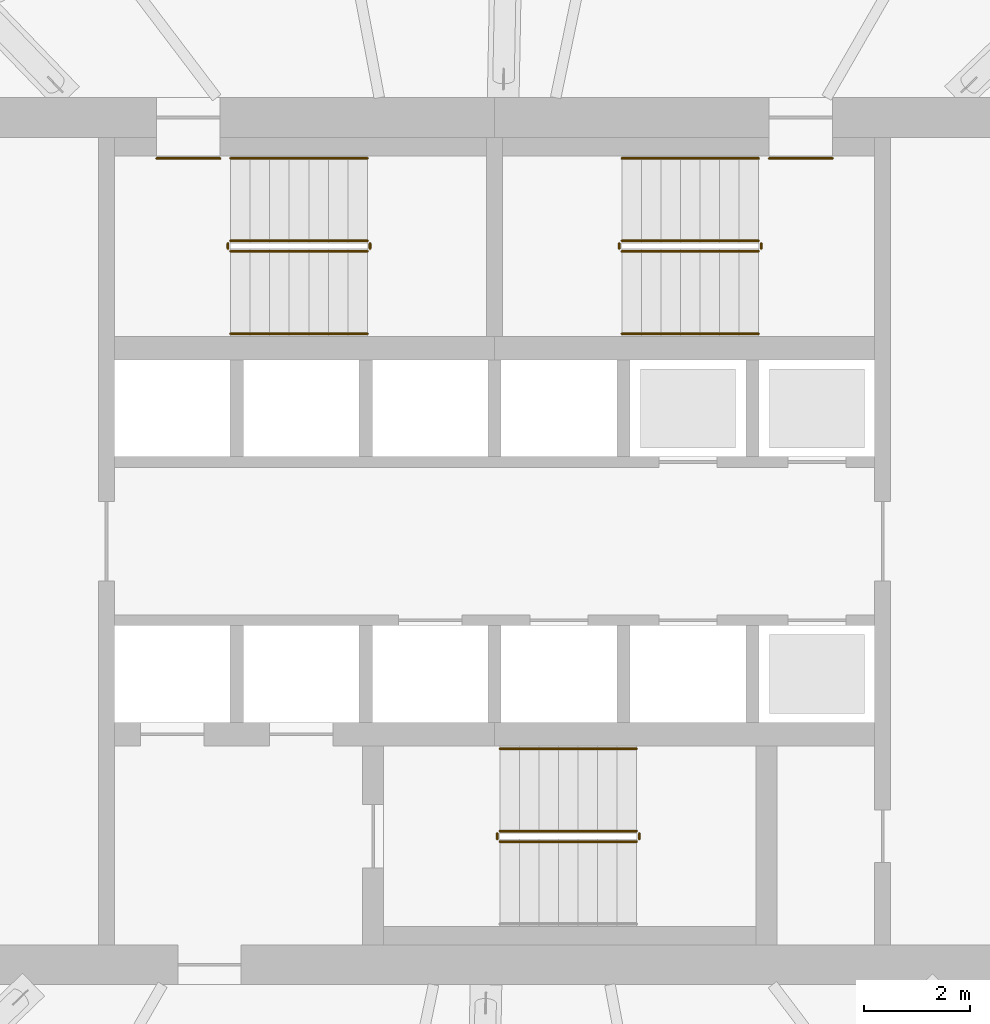
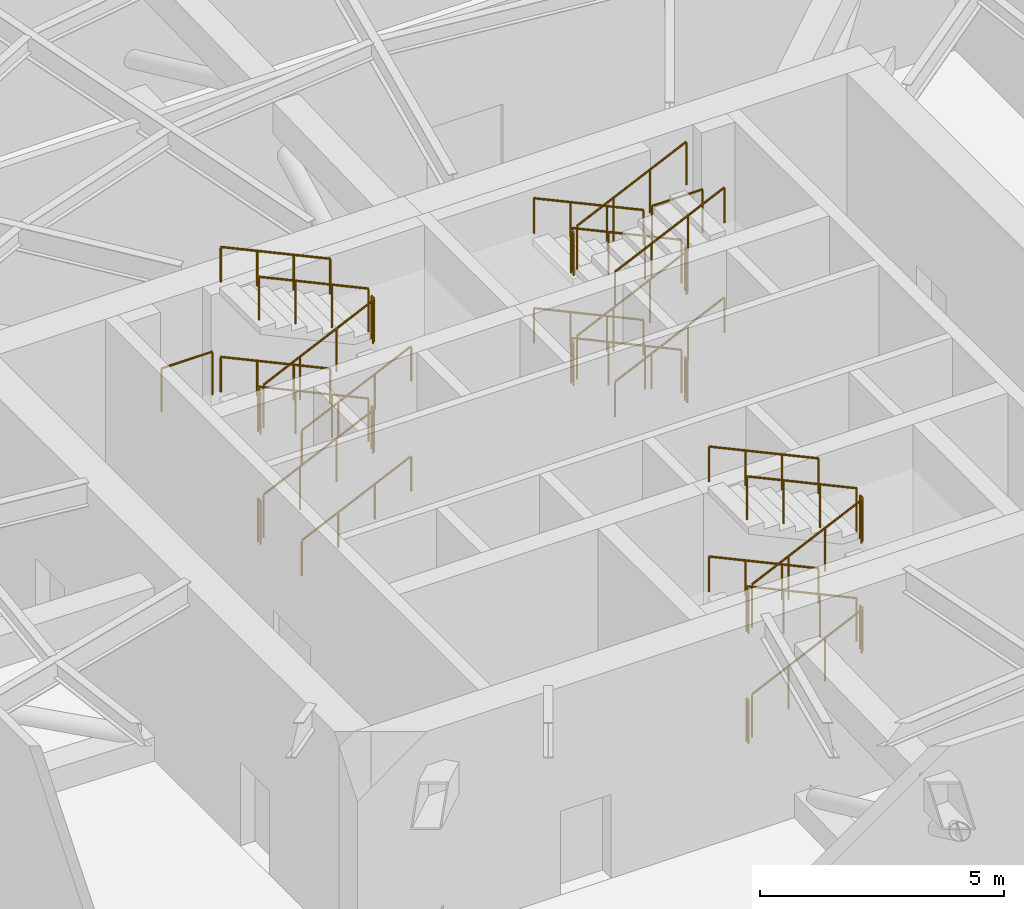
# One storey, part 17 of 19: 36 railings.
"""IFC4 building model written with IfcOpenShell, lengths in metres."""

from ifc_helpers import new_model, si_unit, direction, frame, origin, origin_2d, place, context, subcontext, project, spatial, circle, extrude, material, type_object, element, save


model = new_model("IFC4")

# Units and contexts
model_context = context("Model", 3, precision=1e-05, world=origin(), true_north=direction((0.0, 1.0)))
body_context = subcontext(model_context, "Body", "Model", "MODEL_VIEW")
ifc_project = project(units=[si_unit("LENGTHUNIT", "METRE"), si_unit("AREAUNIT", "SQUARE_METRE"), si_unit("VOLUMEUNIT", "CUBIC_METRE"), si_unit("PLANEANGLEUNIT", "RADIAN"), si_unit("MASSUNIT", "GRAM", prefix="KILO")], contexts=[model_context])

# Site, building, storey
site_placement = place(None, origin())
site = spatial("IfcSite", under=ifc_project, at=site_placement, CompositionType="ELEMENT")
building_placement = place(site_placement, origin())
building = spatial("IfcBuilding", under=site, at=building_placement, Name="Vermilion Reach Broadcast Tower", CompositionType="ELEMENT")
storey_placement = place(building_placement, frame((0.0, 0.0, 190.199951171875)))
storey = spatial("IfcBuildingStorey", under=building, at=storey_placement, Name="L46", CompositionType="ELEMENT", Elevation=190.199951171875)

# Railings
ifc_material_1 = material(Name="Stainless steel", Category="steel")
railing_type_1 = type_object("IfcRailingType", Name="Stair guard 1100", PredefinedType="GUARDRAIL", material=ifc_material_1)
railing_1_placement = place(storey_placement, frame((-11.0, 5.489990234375, 0.171875)))
element("IfcRailing", 1, at=railing_1_placement, inside=storey, type_object=railing_type_1, Name="L46 ST1 stair guard 1", PredefinedType="GUARDRAIL", context=body_context, shape_type="SweptSolid", body=[
    extrude(circle(Radius=0.02392578125, at=origin_2d()), frame((0.0, 0.0, 1.076171875), z_axis=(0.906930820852, 0.0, 0.421279581974), x_axis=(0.0, 1.0, 0.0)), (0.0, 0.0, 1.0), 2.85595703125),
    extrude(circle(Radius=0.02099609375, at=origin_2d()), origin(), (0.0, 0.0, 1.0), 1.052001953125),
    extrude(circle(Radius=0.02099609375, at=origin_2d()), frame((0.86328125, 0.0, 0.401123046875)), (0.0, 0.0, 1.0), 1.052001953125),
    extrude(circle(Radius=0.02099609375, at=origin_2d()), frame((1.726806640625, 0.0, 0.802001953125)), (0.0, 0.0, 1.0), 1.052001953125),
    extrude(circle(Radius=0.02099609375, at=origin_2d()), frame((2.590087890625, 0.0, 1.203125)), (0.0, 0.0, 1.0), 1.052001953125),
])
railing_2_placement = place(storey_placement, frame((-8.360107421875, 5.5400390625, 1.375)))
element("IfcRailing", 2, at=railing_2_placement, inside=storey, type_object=railing_type_1, Name="L46 ST1 stair guard 2", PredefinedType="GUARDRAIL", context=body_context, shape_type="SweptSolid", body=[
    extrude(circle(Radius=0.02392578125, at=origin_2d()), frame((0.0, 0.0, 1.076171875), z_axis=(0.0, 1.0, 0.0), x_axis=(-1.0, 0.0, 0.0)), (0.0, 0.0, 1.0), 0.099853515625),
    extrude(circle(Radius=0.02099609375, at=origin_2d()), origin(), (0.0, 0.0, 1.0), 1.052001953125),
    extrude(circle(Radius=0.02099609375, at=origin_2d()), frame((0.0, 0.099853515625, 0.0)), (0.0, 0.0, 1.0), 1.052001953125),
])
railing_3_placement = place(storey_placement, frame((-8.409912109375, 5.68994140625, 1.546875)))
element("IfcRailing", 3, at=railing_3_placement, inside=storey, type_object=railing_type_1, Name="L46 ST1 stair guard 3", PredefinedType="GUARDRAIL", context=body_context, shape_type="SweptSolid", body=[
    extrude(circle(Radius=0.02392578125, at=origin_2d()), frame((0.0, 0.0, 1.076171875), z_axis=(-0.906930820852, 0.0, 0.421279581974), x_axis=(0.0, -1.0, 0.0)), (0.0, 0.0, 1.0), 2.85595703125),
    extrude(circle(Radius=0.02099609375, at=origin_2d()), origin(), (0.0, 0.0, 1.0), 1.052001953125),
    extrude(circle(Radius=0.02099609375, at=origin_2d()), frame((-0.86328125, 0.0, 0.401123046875)), (0.0, 0.0, 1.0), 1.052001953125),
    extrude(circle(Radius=0.02099609375, at=origin_2d()), frame((-1.726806640625, 0.0, 0.802001953125)), (0.0, 0.0, 1.0), 1.052001953125),
    extrude(circle(Radius=0.02099609375, at=origin_2d()), frame((-2.590087890625, 0.0, 1.203125)), (0.0, 0.0, 1.0), 1.052001953125),
])
railing_4_placement = place(storey_placement, frame((-11.050048828125, 5.5400390625, 2.75)))
element("IfcRailing", 4, at=railing_4_placement, inside=storey, type_object=railing_type_1, Name="L46 ST1 stair guard 4", PredefinedType="GUARDRAIL", context=body_context, shape_type="SweptSolid", body=[
    extrude(circle(Radius=0.02392578125, at=origin_2d()), frame((0.0, 0.0, 1.076171875), z_axis=(0.0, 1.0, 0.0), x_axis=(-1.0, 0.0, 0.0)), (0.0, 0.0, 1.0), 0.099853515625),
    extrude(circle(Radius=0.02099609375, at=origin_2d()), origin(), (0.0, 0.0, 1.0), 1.052001953125),
    extrude(circle(Radius=0.02099609375, at=origin_2d()), frame((0.0, 0.099853515625, 0.0)), (0.0, 0.0, 1.0), 1.052001953125),
])
railing_5_placement = place(storey_placement, frame((-11.0, 5.489990234375, 2.921875)))
element("IfcRailing", 5, at=railing_5_placement, inside=storey, type_object=railing_type_1, Name="L46 ST1 stair guard 5", PredefinedType="GUARDRAIL", context=body_context, shape_type="SweptSolid", body=[
    extrude(circle(Radius=0.02392578125, at=origin_2d()), frame((0.0, 0.0, 1.076171875), z_axis=(0.906930820852, 0.0, 0.421279581974), x_axis=(0.0, 1.0, 0.0)), (0.0, 0.0, 1.0), 2.85595703125),
    extrude(circle(Radius=0.02099609375, at=origin_2d()), origin(), (0.0, 0.0, 1.0), 1.052001953125),
    extrude(circle(Radius=0.02099609375, at=origin_2d()), frame((0.86328125, 0.0, 0.401123046875)), (0.0, 0.0, 1.0), 1.052001953125),
    extrude(circle(Radius=0.02099609375, at=origin_2d()), frame((1.726806640625, 0.0, 0.802001953125)), (0.0, 0.0, 1.0), 1.052001953125),
    extrude(circle(Radius=0.02099609375, at=origin_2d()), frame((2.590087890625, 0.0, 1.203125)), (0.0, 0.0, 1.0), 1.052001953125),
])
railing_6_placement = place(storey_placement, frame((-8.360107421875, 5.5400390625, 4.125)))
element("IfcRailing", 6, at=railing_6_placement, inside=storey, type_object=railing_type_1, Name="L46 ST1 stair guard 6", PredefinedType="GUARDRAIL", context=body_context, shape_type="SweptSolid", body=[
    extrude(circle(Radius=0.02392578125, at=origin_2d()), frame((0.0, 0.0, 1.076171875), z_axis=(0.0, 1.0, 0.0), x_axis=(-1.0, 0.0, 0.0)), (0.0, 0.0, 1.0), 0.099853515625),
    extrude(circle(Radius=0.02099609375, at=origin_2d()), origin(), (0.0, 0.0, 1.0), 1.052001953125),
    extrude(circle(Radius=0.02099609375, at=origin_2d()), frame((0.0, 0.099853515625, 0.0)), (0.0, 0.0, 1.0), 1.052001953125),
])
railing_7_placement = place(storey_placement, frame((-8.409912109375, 5.68994140625, 4.296875)))
element("IfcRailing", 7, at=railing_7_placement, inside=storey, type_object=railing_type_1, Name="L46 ST1 stair guard 7", PredefinedType="GUARDRAIL", context=body_context, shape_type="SweptSolid", body=[
    extrude(circle(Radius=0.02392578125, at=origin_2d()), frame((0.0, 0.0, 1.076171875), z_axis=(-0.906930820852, 0.0, 0.421279581974), x_axis=(0.0, -1.0, 0.0)), (0.0, 0.0, 1.0), 2.85595703125),
    extrude(circle(Radius=0.02099609375, at=origin_2d()), origin(), (0.0, 0.0, 1.0), 1.052001953125),
    extrude(circle(Radius=0.02099609375, at=origin_2d()), frame((-0.86328125, 0.0, 0.401123046875)), (0.0, 0.0, 1.0), 1.052001953125),
    extrude(circle(Radius=0.02099609375, at=origin_2d()), frame((-1.726806640625, 0.0, 0.802001953125)), (0.0, 0.0, 1.0), 1.052001953125),
    extrude(circle(Radius=0.02099609375, at=origin_2d()), frame((-2.590087890625, 0.0, 1.203125)), (0.0, 0.0, 1.0), 1.052001953125),
])
railing_8_placement = place(storey_placement, frame((-11.050048828125, 5.5400390625, 0.0)))
element("IfcRailing", 8, at=railing_8_placement, inside=storey, type_object=railing_type_1, Name="L46 ST1 stair guard 8", PredefinedType="GUARDRAIL", context=body_context, shape_type="SweptSolid", body=[
    extrude(circle(Radius=0.02392578125, at=origin_2d()), frame((0.0, 0.0, 1.076171875), z_axis=(0.0, 1.0, 0.0), x_axis=(-1.0, 0.0, 0.0)), (0.0, 0.0, 1.0), 0.099853515625),
    extrude(circle(Radius=0.02099609375, at=origin_2d()), origin(), (0.0, 0.0, 1.0), 1.052001953125),
    extrude(circle(Radius=0.02099609375, at=origin_2d()), frame((0.0, 0.099853515625, 0.0)), (0.0, 0.0, 1.0), 1.052001953125),
])
railing_9_placement = place(storey_placement, frame((-12.39990234375, 7.25, 2.75)))
element("IfcRailing", 9, at=railing_9_placement, inside=storey, type_object=railing_type_1, Name="L46 ST1 doorway guard", PredefinedType="GUARDRAIL", context=body_context, shape_type="SweptSolid", body=[
    extrude(circle(Radius=0.02392578125, at=origin_2d()), frame((0.0, 0.0, 1.076171875), z_axis=(1.0, 0.0, 0.0), x_axis=(0.0, 1.0, 0.0)), (0.0, 0.0, 1.0), 1.199951171875),
    extrude(circle(Radius=0.02099609375, at=origin_2d()), origin(), (0.0, 0.0, 1.0), 1.052001953125),
    extrude(circle(Radius=0.02099609375, at=origin_2d()), frame((1.199951171875, 0.0, 0.0)), (0.0, 0.0, 1.0), 1.052001953125),
])
railing_10_placement = place(storey_placement, frame((-1.0, 5.68994140625, 0.171875)))
element("IfcRailing", 10, at=railing_10_placement, inside=storey, type_object=railing_type_1, Name="L46 ST2 stair guard 1", PredefinedType="GUARDRAIL", context=body_context, shape_type="SweptSolid", body=[
    extrude(circle(Radius=0.02392578125, at=origin_2d()), frame((0.0, 0.0, 1.076171875), z_axis=(-0.906930820852, 0.0, 0.421279581974), x_axis=(0.0, -1.0, 0.0)), (0.0, 0.0, 1.0), 2.85595703125),
    extrude(circle(Radius=0.02099609375, at=origin_2d()), origin(), (0.0, 0.0, 1.0), 1.052001953125),
    extrude(circle(Radius=0.02099609375, at=origin_2d()), frame((-0.86328125, 0.0, 0.401123046875)), (0.0, 0.0, 1.0), 1.052001953125),
    extrude(circle(Radius=0.02099609375, at=origin_2d()), frame((-1.726806640625, 0.0, 0.802001953125)), (0.0, 0.0, 1.0), 1.052001953125),
    extrude(circle(Radius=0.02099609375, at=origin_2d()), frame((-2.590087890625, 0.0, 1.203125)), (0.0, 0.0, 1.0), 1.052001953125),
])
railing_11_placement = place(storey_placement, frame((-3.639892578125, 5.639892578125, 1.375)))
element("IfcRailing", 11, at=railing_11_placement, inside=storey, type_object=railing_type_1, Name="L46 ST2 stair guard 2", PredefinedType="GUARDRAIL", context=body_context, shape_type="SweptSolid", body=[
    extrude(circle(Radius=0.02392578125, at=origin_2d()), frame((0.0, 0.0, 1.076171875), z_axis=(0.0, -1.0, 0.0), x_axis=(1.0, 0.0, 0.0)), (0.0, 0.0, 1.0), 0.099853515625),
    extrude(circle(Radius=0.02099609375, at=origin_2d()), origin(), (0.0, 0.0, 1.0), 1.052001953125),
    extrude(circle(Radius=0.02099609375, at=origin_2d()), frame((0.0, -0.099853515625, 0.0)), (0.0, 0.0, 1.0), 1.052001953125),
])
railing_12_placement = place(storey_placement, frame((-3.590087890625, 5.489990234375, 1.546875)))
element("IfcRailing", 12, at=railing_12_placement, inside=storey, type_object=railing_type_1, Name="L46 ST2 stair guard 3", PredefinedType="GUARDRAIL", context=body_context, shape_type="SweptSolid", body=[
    extrude(circle(Radius=0.02392578125, at=origin_2d()), frame((0.0, 0.0, 1.076171875), z_axis=(0.906930820852, 0.0, 0.421279581974), x_axis=(0.0, 1.0, 0.0)), (0.0, 0.0, 1.0), 2.85595703125),
    extrude(circle(Radius=0.02099609375, at=origin_2d()), origin(), (0.0, 0.0, 1.0), 1.052001953125),
    extrude(circle(Radius=0.02099609375, at=origin_2d()), frame((0.86328125, 0.0, 0.401123046875)), (0.0, 0.0, 1.0), 1.052001953125),
    extrude(circle(Radius=0.02099609375, at=origin_2d()), frame((1.726806640625, 0.0, 0.802001953125)), (0.0, 0.0, 1.0), 1.052001953125),
    extrude(circle(Radius=0.02099609375, at=origin_2d()), frame((2.590087890625, 0.0, 1.203125)), (0.0, 0.0, 1.0), 1.052001953125),
])
railing_13_placement = place(storey_placement, frame((-0.949951171875, 5.639892578125, 2.75)))
element("IfcRailing", 13, at=railing_13_placement, inside=storey, type_object=railing_type_1, Name="L46 ST2 stair guard 4", PredefinedType="GUARDRAIL", context=body_context, shape_type="SweptSolid", body=[
    extrude(circle(Radius=0.02392578125, at=origin_2d()), frame((0.0, 0.0, 1.076171875), z_axis=(0.0, -1.0, 0.0), x_axis=(1.0, 0.0, 0.0)), (0.0, 0.0, 1.0), 0.099853515625),
    extrude(circle(Radius=0.02099609375, at=origin_2d()), origin(), (0.0, 0.0, 1.0), 1.052001953125),
    extrude(circle(Radius=0.02099609375, at=origin_2d()), frame((0.0, -0.099853515625, 0.0)), (0.0, 0.0, 1.0), 1.052001953125),
])
railing_14_placement = place(storey_placement, frame((-1.0, 5.68994140625, 2.921875)))
element("IfcRailing", 14, at=railing_14_placement, inside=storey, type_object=railing_type_1, Name="L46 ST2 stair guard 5", PredefinedType="GUARDRAIL", context=body_context, shape_type="SweptSolid", body=[
    extrude(circle(Radius=0.02392578125, at=origin_2d()), frame((0.0, 0.0, 1.076171875), z_axis=(-0.906930820852, 0.0, 0.421279581974), x_axis=(0.0, -1.0, 0.0)), (0.0, 0.0, 1.0), 2.85595703125),
    extrude(circle(Radius=0.02099609375, at=origin_2d()), origin(), (0.0, 0.0, 1.0), 1.052001953125),
    extrude(circle(Radius=0.02099609375, at=origin_2d()), frame((-0.86328125, 0.0, 0.401123046875)), (0.0, 0.0, 1.0), 1.052001953125),
    extrude(circle(Radius=0.02099609375, at=origin_2d()), frame((-1.726806640625, 0.0, 0.802001953125)), (0.0, 0.0, 1.0), 1.052001953125),
    extrude(circle(Radius=0.02099609375, at=origin_2d()), frame((-2.590087890625, 0.0, 1.203125)), (0.0, 0.0, 1.0), 1.052001953125),
])
railing_15_placement = place(storey_placement, frame((-3.639892578125, 5.639892578125, 4.125)))
element("IfcRailing", 15, at=railing_15_placement, inside=storey, type_object=railing_type_1, Name="L46 ST2 stair guard 6", PredefinedType="GUARDRAIL", context=body_context, shape_type="SweptSolid", body=[
    extrude(circle(Radius=0.02392578125, at=origin_2d()), frame((0.0, 0.0, 1.076171875), z_axis=(0.0, -1.0, 0.0), x_axis=(1.0, 0.0, 0.0)), (0.0, 0.0, 1.0), 0.099853515625),
    extrude(circle(Radius=0.02099609375, at=origin_2d()), origin(), (0.0, 0.0, 1.0), 1.052001953125),
    extrude(circle(Radius=0.02099609375, at=origin_2d()), frame((0.0, -0.099853515625, 0.0)), (0.0, 0.0, 1.0), 1.052001953125),
])
railing_16_placement = place(storey_placement, frame((-3.590087890625, 5.489990234375, 4.296875)))
element("IfcRailing", 16, at=railing_16_placement, inside=storey, type_object=railing_type_1, Name="L46 ST2 stair guard 7", PredefinedType="GUARDRAIL", context=body_context, shape_type="SweptSolid", body=[
    extrude(circle(Radius=0.02392578125, at=origin_2d()), frame((0.0, 0.0, 1.076171875), z_axis=(0.906930820852, 0.0, 0.421279581974), x_axis=(0.0, 1.0, 0.0)), (0.0, 0.0, 1.0), 2.85595703125),
    extrude(circle(Radius=0.02099609375, at=origin_2d()), origin(), (0.0, 0.0, 1.0), 1.052001953125),
    extrude(circle(Radius=0.02099609375, at=origin_2d()), frame((0.86328125, 0.0, 0.401123046875)), (0.0, 0.0, 1.0), 1.052001953125),
    extrude(circle(Radius=0.02099609375, at=origin_2d()), frame((1.726806640625, 0.0, 0.802001953125)), (0.0, 0.0, 1.0), 1.052001953125),
    extrude(circle(Radius=0.02099609375, at=origin_2d()), frame((2.590087890625, 0.0, 1.203125)), (0.0, 0.0, 1.0), 1.052001953125),
])
railing_17_placement = place(storey_placement, frame((-0.949951171875, 5.639892578125, 0.0)))
element("IfcRailing", 17, at=railing_17_placement, inside=storey, type_object=railing_type_1, Name="L46 ST2 stair guard 8", PredefinedType="GUARDRAIL", context=body_context, shape_type="SweptSolid", body=[
    extrude(circle(Radius=0.02392578125, at=origin_2d()), frame((0.0, 0.0, 1.076171875), z_axis=(0.0, -1.0, 0.0), x_axis=(1.0, 0.0, 0.0)), (0.0, 0.0, 1.0), 0.099853515625),
    extrude(circle(Radius=0.02099609375, at=origin_2d()), origin(), (0.0, 0.0, 1.0), 1.052001953125),
    extrude(circle(Radius=0.02099609375, at=origin_2d()), frame((0.0, -0.099853515625, 0.0)), (0.0, 0.0, 1.0), 1.052001953125),
])
railing_18_placement = place(storey_placement, frame((-0.800048828125, 7.25, 2.75)))
element("IfcRailing", 18, at=railing_18_placement, inside=storey, type_object=railing_type_1, Name="L46 ST2 doorway guard", PredefinedType="GUARDRAIL", context=body_context, shape_type="SweptSolid", body=[
    extrude(circle(Radius=0.02392578125, at=origin_2d()), frame((0.0, 0.0, 1.076171875), z_axis=(1.0, 0.0, 0.0), x_axis=(0.0, 1.0, 0.0)), (0.0, 0.0, 1.0), 1.199951171875),
    extrude(circle(Radius=0.02099609375, at=origin_2d()), origin(), (0.0, 0.0, 1.0), 1.052001953125),
    extrude(circle(Radius=0.02099609375, at=origin_2d()), frame((1.199951171875, 0.0, 0.0)), (0.0, 0.0, 1.0), 1.052001953125),
])
railing_19_placement = place(storey_placement, frame((-5.89990234375, -5.68994140625, 0.171875)))
element("IfcRailing", 19, at=railing_19_placement, inside=storey, type_object=railing_type_1, Name="L46 ST3 stair guard 1", PredefinedType="GUARDRAIL", context=body_context, shape_type="SweptSolid", body=[
    extrude(circle(Radius=0.02392578125, at=origin_2d()), frame((0.0, 0.0, 1.076171875), z_axis=(0.906915647168, 0.0, 0.421312246347), x_axis=(0.0, 1.0, 0.0)), (0.0, 0.0, 1.0), 2.855712890625),
    extrude(circle(Radius=0.02099609375, at=origin_2d()), origin(), (0.0, 0.0, 1.0), 1.052001953125),
    extrude(circle(Radius=0.02099609375, at=origin_2d()), frame((0.86328125, 0.0, 0.401123046875)), (0.0, 0.0, 1.0), 1.052001953125),
    extrude(circle(Radius=0.02099609375, at=origin_2d()), frame((1.7265625, 0.0, 0.802001953125)), (0.0, 0.0, 1.0), 1.052001953125),
    extrude(circle(Radius=0.02099609375, at=origin_2d()), frame((2.58984375, 0.0, 1.203125)), (0.0, 0.0, 1.0), 1.052001953125),
])
railing_20_placement = place(storey_placement, frame((-3.260009765625, -5.639892578125, 1.375)))
element("IfcRailing", 20, at=railing_20_placement, inside=storey, type_object=railing_type_1, Name="L46 ST3 stair guard 2", PredefinedType="GUARDRAIL", context=body_context, shape_type="SweptSolid", body=[
    extrude(circle(Radius=0.02392578125, at=origin_2d()), frame((0.0, 0.0, 1.076171875), z_axis=(0.0, 1.0, 0.0), x_axis=(-1.0, 0.0, 0.0)), (0.0, 0.0, 1.0), 0.099853515625),
    extrude(circle(Radius=0.02099609375, at=origin_2d()), origin(), (0.0, 0.0, 1.0), 1.052001953125),
    extrude(circle(Radius=0.02099609375, at=origin_2d()), frame((0.0, 0.099853515625, 0.0)), (0.0, 0.0, 1.0), 1.052001953125),
])
railing_21_placement = place(storey_placement, frame((-3.31005859375, -5.489990234375, 1.546875)))
element("IfcRailing", 21, at=railing_21_placement, inside=storey, type_object=railing_type_1, Name="L46 ST3 stair guard 3", PredefinedType="GUARDRAIL", context=body_context, shape_type="SweptSolid", body=[
    extrude(circle(Radius=0.02392578125, at=origin_2d()), frame((0.0, 0.0, 1.076171875), z_axis=(-0.906915647168, 0.0, 0.421312246347), x_axis=(0.0, -1.0, 0.0)), (0.0, 0.0, 1.0), 2.855712890625),
    extrude(circle(Radius=0.02099609375, at=origin_2d()), origin(), (0.0, 0.0, 1.0), 1.052001953125),
    extrude(circle(Radius=0.02099609375, at=origin_2d()), frame((-0.86328125, 0.0, 0.401123046875)), (0.0, 0.0, 1.0), 1.052001953125),
    extrude(circle(Radius=0.02099609375, at=origin_2d()), frame((-1.7265625, 0.0, 0.802001953125)), (0.0, 0.0, 1.0), 1.052001953125),
    extrude(circle(Radius=0.02099609375, at=origin_2d()), frame((-2.58984375, 0.0, 1.203125)), (0.0, 0.0, 1.0), 1.052001953125),
])
railing_22_placement = place(storey_placement, frame((-5.949951171875, -5.639892578125, 2.75)))
element("IfcRailing", 22, at=railing_22_placement, inside=storey, type_object=railing_type_1, Name="L46 ST3 stair guard 4", PredefinedType="GUARDRAIL", context=body_context, shape_type="SweptSolid", body=[
    extrude(circle(Radius=0.02392578125, at=origin_2d()), frame((0.0, 0.0, 1.076171875), z_axis=(0.0, 1.0, 0.0), x_axis=(-1.0, 0.0, 0.0)), (0.0, 0.0, 1.0), 0.099853515625),
    extrude(circle(Radius=0.02099609375, at=origin_2d()), origin(), (0.0, 0.0, 1.0), 1.052001953125),
    extrude(circle(Radius=0.02099609375, at=origin_2d()), frame((0.0, 0.099853515625, 0.0)), (0.0, 0.0, 1.0), 1.052001953125),
])
railing_23_placement = place(storey_placement, frame((-5.89990234375, -5.68994140625, 2.921875)))
element("IfcRailing", 23, at=railing_23_placement, inside=storey, type_object=railing_type_1, Name="L46 ST3 stair guard 5", PredefinedType="GUARDRAIL", context=body_context, shape_type="SweptSolid", body=[
    extrude(circle(Radius=0.02392578125, at=origin_2d()), frame((0.0, 0.0, 1.076171875), z_axis=(0.906915647168, 0.0, 0.421312246347), x_axis=(0.0, 1.0, 0.0)), (0.0, 0.0, 1.0), 2.855712890625),
    extrude(circle(Radius=0.02099609375, at=origin_2d()), origin(), (0.0, 0.0, 1.0), 1.052001953125),
    extrude(circle(Radius=0.02099609375, at=origin_2d()), frame((0.86328125, 0.0, 0.401123046875)), (0.0, 0.0, 1.0), 1.052001953125),
    extrude(circle(Radius=0.02099609375, at=origin_2d()), frame((1.7265625, 0.0, 0.802001953125)), (0.0, 0.0, 1.0), 1.052001953125),
    extrude(circle(Radius=0.02099609375, at=origin_2d()), frame((2.58984375, 0.0, 1.203125)), (0.0, 0.0, 1.0), 1.052001953125),
])
railing_24_placement = place(storey_placement, frame((-3.260009765625, -5.639892578125, 4.125)))
element("IfcRailing", 24, at=railing_24_placement, inside=storey, type_object=railing_type_1, Name="L46 ST3 stair guard 6", PredefinedType="GUARDRAIL", context=body_context, shape_type="SweptSolid", body=[
    extrude(circle(Radius=0.02392578125, at=origin_2d()), frame((0.0, 0.0, 1.076171875), z_axis=(0.0, 1.0, 0.0), x_axis=(-1.0, 0.0, 0.0)), (0.0, 0.0, 1.0), 0.099853515625),
    extrude(circle(Radius=0.02099609375, at=origin_2d()), origin(), (0.0, 0.0, 1.0), 1.052001953125),
    extrude(circle(Radius=0.02099609375, at=origin_2d()), frame((0.0, 0.099853515625, 0.0)), (0.0, 0.0, 1.0), 1.052001953125),
])
railing_25_placement = place(storey_placement, frame((-3.31005859375, -5.489990234375, 4.296875)))
element("IfcRailing", 25, at=railing_25_placement, inside=storey, type_object=railing_type_1, Name="L46 ST3 stair guard 7", PredefinedType="GUARDRAIL", context=body_context, shape_type="SweptSolid", body=[
    extrude(circle(Radius=0.02392578125, at=origin_2d()), frame((0.0, 0.0, 1.076171875), z_axis=(-0.906915647168, 0.0, 0.421312246347), x_axis=(0.0, -1.0, 0.0)), (0.0, 0.0, 1.0), 2.855712890625),
    extrude(circle(Radius=0.02099609375, at=origin_2d()), origin(), (0.0, 0.0, 1.0), 1.052001953125),
    extrude(circle(Radius=0.02099609375, at=origin_2d()), frame((-0.86328125, 0.0, 0.401123046875)), (0.0, 0.0, 1.0), 1.052001953125),
    extrude(circle(Radius=0.02099609375, at=origin_2d()), frame((-1.7265625, 0.0, 0.802001953125)), (0.0, 0.0, 1.0), 1.052001953125),
    extrude(circle(Radius=0.02099609375, at=origin_2d()), frame((-2.58984375, 0.0, 1.203125)), (0.0, 0.0, 1.0), 1.052001953125),
])
railing_26_placement = place(storey_placement, frame((-5.949951171875, -5.639892578125, 0.0)))
element("IfcRailing", 26, at=railing_26_placement, inside=storey, type_object=railing_type_1, Name="L46 ST3 stair guard 8", PredefinedType="GUARDRAIL", context=body_context, shape_type="SweptSolid", body=[
    extrude(circle(Radius=0.02392578125, at=origin_2d()), frame((0.0, 0.0, 1.076171875), z_axis=(0.0, 1.0, 0.0), x_axis=(-1.0, 0.0, 0.0)), (0.0, 0.0, 1.0), 0.099853515625),
    extrude(circle(Radius=0.02099609375, at=origin_2d()), origin(), (0.0, 0.0, 1.0), 1.052001953125),
    extrude(circle(Radius=0.02099609375, at=origin_2d()), frame((0.0, 0.099853515625, 0.0)), (0.0, 0.0, 1.0), 1.052001953125),
])
ifc_material_2 = material(Name="Stainless steel", Category="steel")
railing_type_2 = type_object("IfcRailingType", Name="Stair handrail", PredefinedType="HANDRAIL", material=ifc_material_2)
railing_27_placement = place(storey_placement, frame((-11.0, 3.929931640625, 0.171875)))
element("IfcRailing", 27, at=railing_27_placement, inside=storey, type_object=railing_type_2, Name="L46 ST1 stair handrail 1", PredefinedType="HANDRAIL", context=body_context, shape_type="SweptSolid", body=[
    extrude(circle(Radius=0.02392578125, at=origin_2d()), frame((0.0, 0.0, 0.8759765625), z_axis=(0.906930820852, 0.0, 0.421279581974), x_axis=(0.0, 1.0, 0.0)), (0.0, 0.0, 1.0), 2.85595703125),
    extrude(circle(Radius=0.02099609375, at=origin_2d()), origin(), (0.0, 0.0, 1.0), 0.851806640625),
    extrude(circle(Radius=0.02099609375, at=origin_2d()), frame((0.86328125, 0.0, 0.401123046875)), (0.0, 0.0, 1.0), 0.851806640625),
    extrude(circle(Radius=0.02099609375, at=origin_2d()), frame((1.726806640625, 0.0, 0.802001953125)), (0.0, 0.0, 1.0), 0.851806640625),
    extrude(circle(Radius=0.02099609375, at=origin_2d()), frame((2.590087890625, 0.0, 1.203125)), (0.0, 0.0, 1.0), 0.851806640625),
])
railing_28_placement = place(storey_placement, frame((-8.409912109375, 7.25, 1.546875)))
element("IfcRailing", 28, at=railing_28_placement, inside=storey, type_object=railing_type_2, Name="L46 ST1 stair handrail 2", PredefinedType="HANDRAIL", context=body_context, shape_type="SweptSolid", body=[
    extrude(circle(Radius=0.02392578125, at=origin_2d()), frame((0.0, 0.0, 0.8759765625), z_axis=(-0.906930820852, 0.0, 0.421279581974), x_axis=(0.0, -1.0, 0.0)), (0.0, 0.0, 1.0), 2.85595703125),
    extrude(circle(Radius=0.02099609375, at=origin_2d()), origin(), (0.0, 0.0, 1.0), 0.851806640625),
    extrude(circle(Radius=0.02099609375, at=origin_2d()), frame((-0.86328125, 0.0, 0.401123046875)), (0.0, 0.0, 1.0), 0.851806640625),
    extrude(circle(Radius=0.02099609375, at=origin_2d()), frame((-1.726806640625, 0.0, 0.802001953125)), (0.0, 0.0, 1.0), 0.851806640625),
    extrude(circle(Radius=0.02099609375, at=origin_2d()), frame((-2.590087890625, 0.0, 1.203125)), (0.0, 0.0, 1.0), 0.851806640625),
])
railing_29_placement = place(storey_placement, frame((-11.0, 3.929931640625, 2.921875)))
element("IfcRailing", 29, at=railing_29_placement, inside=storey, type_object=railing_type_2, Name="L46 ST1 stair handrail 3", PredefinedType="HANDRAIL", context=body_context, shape_type="SweptSolid", body=[
    extrude(circle(Radius=0.02392578125, at=origin_2d()), frame((0.0, 0.0, 0.8759765625), z_axis=(0.906930820852, 0.0, 0.421279581974), x_axis=(0.0, 1.0, 0.0)), (0.0, 0.0, 1.0), 2.85595703125),
    extrude(circle(Radius=0.02099609375, at=origin_2d()), origin(), (0.0, 0.0, 1.0), 0.851806640625),
    extrude(circle(Radius=0.02099609375, at=origin_2d()), frame((0.86328125, 0.0, 0.401123046875)), (0.0, 0.0, 1.0), 0.851806640625),
    extrude(circle(Radius=0.02099609375, at=origin_2d()), frame((1.726806640625, 0.0, 0.802001953125)), (0.0, 0.0, 1.0), 0.851806640625),
    extrude(circle(Radius=0.02099609375, at=origin_2d()), frame((2.590087890625, 0.0, 1.203125)), (0.0, 0.0, 1.0), 0.851806640625),
])
for number, where, name in (
    (30, (-8.409912109375, 7.25, 4.296875), "L46 ST1 stair handrail 4"),
    (31, (-1.0, 7.25, 0.171875), "L46 ST2 stair handrail 1"),
):
    element("IfcRailing", number, at=place(storey_placement, frame(where)), inside=storey, type_object=railing_type_2, Name=name, PredefinedType="HANDRAIL", context=body_context, shape_type="SweptSolid", body=[
        extrude(circle(Radius=0.02392578125, at=origin_2d()), frame((0.0, 0.0, 0.8759765625), z_axis=(-0.906930820852, 0.0, 0.421279581974), x_axis=(0.0, -1.0, 0.0)), (0.0, 0.0, 1.0), 2.85595703125),
        extrude(circle(Radius=0.02099609375, at=origin_2d()), origin(), (0.0, 0.0, 1.0), 0.851806640625),
        extrude(circle(Radius=0.02099609375, at=origin_2d()), frame((-0.86328125, 0.0, 0.401123046875)), (0.0, 0.0, 1.0), 0.851806640625),
        extrude(circle(Radius=0.02099609375, at=origin_2d()), frame((-1.726806640625, 0.0, 0.802001953125)), (0.0, 0.0, 1.0), 0.851806640625),
        extrude(circle(Radius=0.02099609375, at=origin_2d()), frame((-2.590087890625, 0.0, 1.203125)), (0.0, 0.0, 1.0), 0.851806640625),
    ])
railing_30_placement = place(storey_placement, frame((-3.590087890625, 3.929931640625, 1.546875)))
element("IfcRailing", 32, at=railing_30_placement, inside=storey, type_object=railing_type_2, Name="L46 ST2 stair handrail 2", PredefinedType="HANDRAIL", context=body_context, shape_type="SweptSolid", body=[
    extrude(circle(Radius=0.02392578125, at=origin_2d()), frame((0.0, 0.0, 0.8759765625), z_axis=(0.906930820852, 0.0, 0.421279581974), x_axis=(0.0, 1.0, 0.0)), (0.0, 0.0, 1.0), 2.85595703125),
    extrude(circle(Radius=0.02099609375, at=origin_2d()), origin(), (0.0, 0.0, 1.0), 0.851806640625),
    extrude(circle(Radius=0.02099609375, at=origin_2d()), frame((0.86328125, 0.0, 0.401123046875)), (0.0, 0.0, 1.0), 0.851806640625),
    extrude(circle(Radius=0.02099609375, at=origin_2d()), frame((1.726806640625, 0.0, 0.802001953125)), (0.0, 0.0, 1.0), 0.851806640625),
    extrude(circle(Radius=0.02099609375, at=origin_2d()), frame((2.590087890625, 0.0, 1.203125)), (0.0, 0.0, 1.0), 0.851806640625),
])
railing_31_placement = place(storey_placement, frame((-1.0, 7.25, 2.921875)))
element("IfcRailing", 33, at=railing_31_placement, inside=storey, type_object=railing_type_2, Name="L46 ST2 stair handrail 3", PredefinedType="HANDRAIL", context=body_context, shape_type="SweptSolid", body=[
    extrude(circle(Radius=0.02392578125, at=origin_2d()), frame((0.0, 0.0, 0.8759765625), z_axis=(-0.906930820852, 0.0, 0.421279581974), x_axis=(0.0, -1.0, 0.0)), (0.0, 0.0, 1.0), 2.85595703125),
    extrude(circle(Radius=0.02099609375, at=origin_2d()), origin(), (0.0, 0.0, 1.0), 0.851806640625),
    extrude(circle(Radius=0.02099609375, at=origin_2d()), frame((-0.86328125, 0.0, 0.401123046875)), (0.0, 0.0, 1.0), 0.851806640625),
    extrude(circle(Radius=0.02099609375, at=origin_2d()), frame((-1.726806640625, 0.0, 0.802001953125)), (0.0, 0.0, 1.0), 0.851806640625),
    extrude(circle(Radius=0.02099609375, at=origin_2d()), frame((-2.590087890625, 0.0, 1.203125)), (0.0, 0.0, 1.0), 0.851806640625),
])
railing_32_placement = place(storey_placement, frame((-3.590087890625, 3.929931640625, 4.296875)))
element("IfcRailing", 34, at=railing_32_placement, inside=storey, type_object=railing_type_2, Name="L46 ST2 stair handrail 4", PredefinedType="HANDRAIL", context=body_context, shape_type="SweptSolid", body=[
    extrude(circle(Radius=0.02392578125, at=origin_2d()), frame((0.0, 0.0, 0.8759765625), z_axis=(0.906930820852, 0.0, 0.421279581974), x_axis=(0.0, 1.0, 0.0)), (0.0, 0.0, 1.0), 2.85595703125),
    extrude(circle(Radius=0.02099609375, at=origin_2d()), origin(), (0.0, 0.0, 1.0), 0.851806640625),
    extrude(circle(Radius=0.02099609375, at=origin_2d()), frame((0.86328125, 0.0, 0.401123046875)), (0.0, 0.0, 1.0), 0.851806640625),
    extrude(circle(Radius=0.02099609375, at=origin_2d()), frame((1.726806640625, 0.0, 0.802001953125)), (0.0, 0.0, 1.0), 0.851806640625),
    extrude(circle(Radius=0.02099609375, at=origin_2d()), frame((2.590087890625, 0.0, 1.203125)), (0.0, 0.0, 1.0), 0.851806640625),
])
for number, where, name in (
    (35, (-3.31005859375, -3.929931640625, 1.546875), "L46 ST3 stair handrail 2"),
    (36, (-3.31005859375, -3.929931640625, 4.296875), "L46 ST3 stair handrail 4"),
):
    element("IfcRailing", number, at=place(storey_placement, frame(where)), inside=storey, type_object=railing_type_2, Name=name, PredefinedType="HANDRAIL", context=body_context, shape_type="SweptSolid", body=[
        extrude(circle(Radius=0.02392578125, at=origin_2d()), frame((0.0, 0.0, 0.8759765625), z_axis=(-0.906915647168, 0.0, 0.421312246347), x_axis=(0.0, -1.0, 0.0)), (0.0, 0.0, 1.0), 2.855712890625),
        extrude(circle(Radius=0.02099609375, at=origin_2d()), origin(), (0.0, 0.0, 1.0), 0.851806640625),
        extrude(circle(Radius=0.02099609375, at=origin_2d()), frame((-0.86328125, 0.0, 0.401123046875)), (0.0, 0.0, 1.0), 0.851806640625),
        extrude(circle(Radius=0.02099609375, at=origin_2d()), frame((-1.7265625, 0.0, 0.802001953125)), (0.0, 0.0, 1.0), 0.851806640625),
        extrude(circle(Radius=0.02099609375, at=origin_2d()), frame((-2.58984375, 0.0, 1.203125)), (0.0, 0.0, 1.0), 0.851806640625),
    ])

save(model, "model.ifc")
